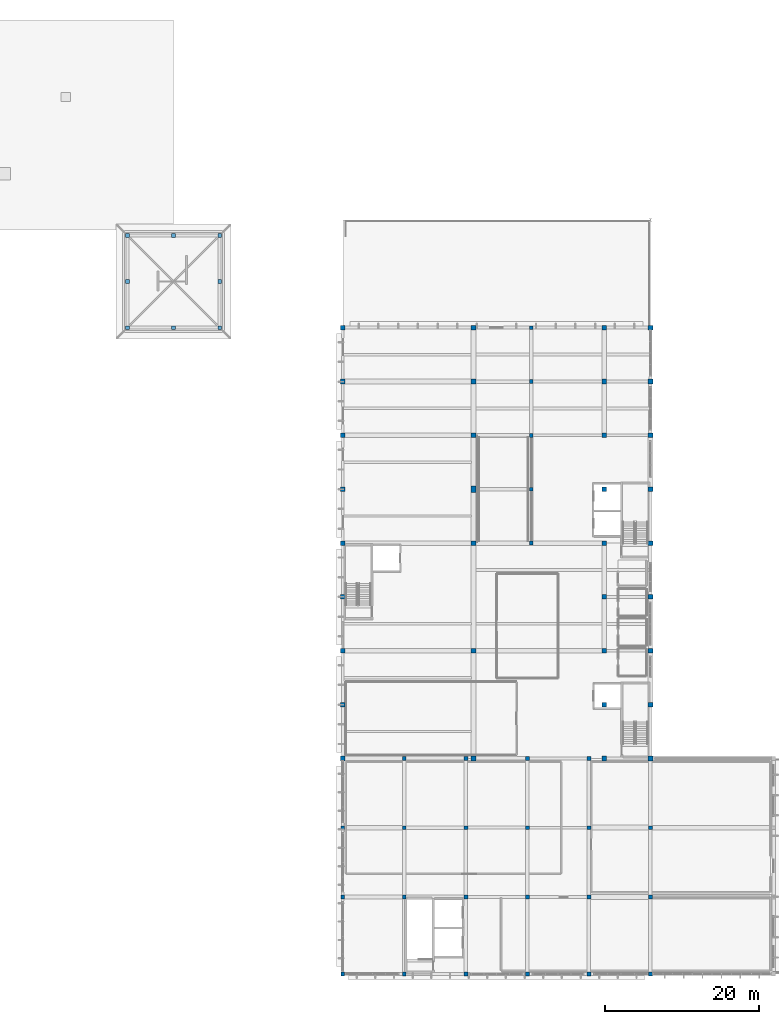
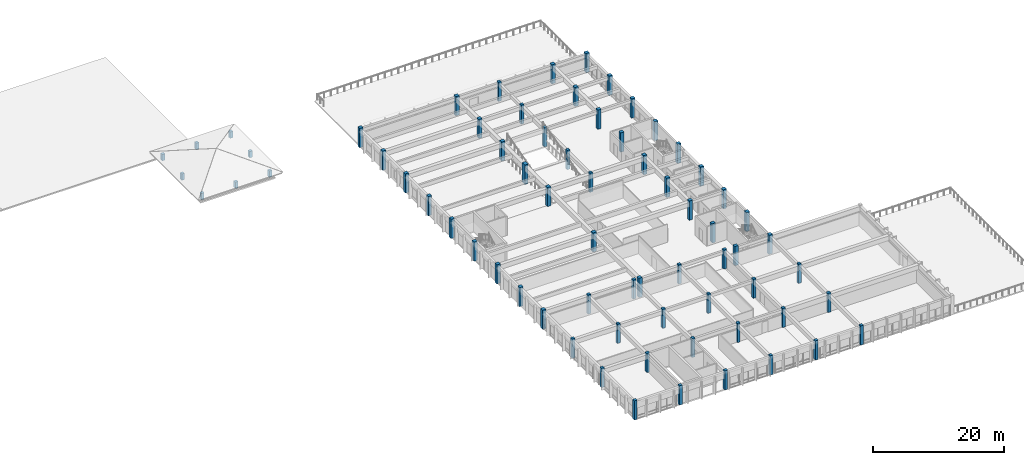
# One storey, part 1 of 33: 69 columns.
"""IFC4 building model written with IfcOpenShell, lengths in metres."""

from ifc_helpers import new_model, si_unit, direction, frame, origin, origin_2d, place, context, subcontext, project, spatial, rectangle, extrude, material, material_profile, profile_set, type_object, element, save


model = new_model("IFC4")

# Units and contexts
model_context = context("Model", 3, precision=1e-05, world=origin(), true_north=direction((0.0, 1.0)))
body_context = subcontext(model_context, "Body", "Model", "MODEL_VIEW")
ifc_project = project(units=[si_unit("LENGTHUNIT", "METRE"), si_unit("AREAUNIT", "SQUARE_METRE"), si_unit("VOLUMEUNIT", "CUBIC_METRE"), si_unit("PLANEANGLEUNIT", "RADIAN"), si_unit("MASSUNIT", "GRAM", prefix="KILO")], contexts=[model_context])

# Site, building, storey
site_placement = place(None, origin())
site = spatial("IfcSite", under=ifc_project, at=site_placement, CompositionType="ELEMENT")
building_placement = place(site_placement, origin())
building = spatial("IfcBuilding", under=site, at=building_placement, Name="Larkveld Mobility Hub", CompositionType="ELEMENT")
storey_placement = place(building_placement, frame((0.0, 0.0, 15.60009765625)))
storey = spatial("IfcBuildingStorey", under=building, at=storey_placement, Name="L04", CompositionType="ELEMENT", Elevation=15.60009765625)

# Columns
ifc_material_1 = material(Name="Precast concrete C50/60", Category="concrete")
ifc_material_profile_1 = material_profile(ifc_material_1, rectangle(XDim=0.60009765625, YDim=0.800048828125, at=origin_2d()), Name="RC COL 600x800")
ifc_profile_set_1 = profile_set([ifc_material_profile_1], Name="Precast concrete C50/60")
column_type_1 = type_object("IfcColumnType", Name="CL-PC6080", PredefinedType="COLUMN", material=ifc_profile_set_1)
column_placement = place(storey_placement, frame((129.0, 63.0, 0.0), z_axis=(0.0, 0.0, 1.0), x_axis=(1.0, 0.0, 0.0)))
element("IfcColumn", 1, at=column_placement, inside=storey, type_object=column_type_1, Name="Column EVR-X1290-Y63 (L04)", PredefinedType="COLUMN", context=body_context, shape_type="SweptSolid", body=[
    extrude(rectangle(XDim=0.60009765625, YDim=0.800048828125, at=origin_2d()), origin(), (0.0, 0.0, 1.0), 3.599853515625),
])
ifc_material_2 = material(Name="Concrete C40/50", Category="concrete")
ifc_material_profile_2 = material_profile(ifc_material_2, rectangle(XDim=0.5, YDim=0.5, at=origin_2d()), Name="RC COL 500x500")
ifc_profile_set_2 = profile_set([ifc_material_profile_2], Name="Concrete C40/50")
column_type_2 = type_object("IfcColumnType", Name="CL-RC500", PredefinedType="COLUMN", material=ifc_profile_set_2)
for number, where, z_axis, x_axis, name in (
    (2, (136.5, 70.0, 0.0), (0.0, 0.0, 1.0), (1.0, 0.0, 0.0), "Column EVRMP-X1365-Y70 (L04)"),
    (3, (136.5, 77.0, 0.0), (0.0, 0.0, 1.0), (1.0, 0.0, 0.0), "Column EVRMP-X1365-Y77 (L04)"),
    (4, (136.5, 84.0, 0.0), (0.0, 0.0, 1.0), (1.0, 0.0, 0.0), "Column EVRMP-X1365-Y84 (L04)"),
    (5, (112.0, 0.0, 0.0), (0.0, 0.0, 1.0), (1.0, 0.0, 0.0), "Column V6-X112-Y0 (L04)"),
    (6, (112.0, 10.0, 0.0), (0.0, 0.0, 1.0), (1.0, 0.0, 0.0), "Column V6-X112-Y10 (L04)"),
    (7, (112.0, 19.0, 0.0), (0.0, 0.0, 1.0), (1.0, 0.0, 0.0), "Column V6-X112-Y19 (L04)"),
    (8, (120.0, 0.0, 0.0), (0.0, 0.0, 1.0), (1.0, 0.0, 0.0), "Column V6-X120-Y0 (L04)"),
    (9, (120.0, 10.0, 0.0), (0.0, 0.0, 1.0), (1.0, 0.0, 0.0), "Column V6-X120-Y10 (L04)"),
    (10, (120.0, 19.0, 0.0), (0.0, 0.0, 1.0), (1.0, 0.0, 0.0), "Column V6-X120-Y19 (L04)"),
    (11, (120.0, 28.0, 0.0), (0.0, 0.0, 1.0), (1.0, 0.0, 0.0), "Column V6-X120-Y28 (L04)"),
    (12, (128.0, 0.0, 0.0), (0.0, 0.0, 1.0), (1.0, 0.0, 0.0), "Column V6-X128-Y0 (L04)"),
    (13, (128.0, 10.0, 0.0), (0.0, 0.0, 1.0), (1.0, 0.0, 0.0), "Column V6-X128-Y10 (L04)"),
    (14, (128.0, 19.0, 0.0), (0.0, 0.0, 1.0), (1.0, 0.0, 0.0), "Column V6-X128-Y19 (L04)"),
    (15, (128.0, 28.0, 0.0), (0.0, 0.0, 1.0), (1.0, 0.0, 0.0), "Column V6-X128-Y28 (L04)"),
    (16, (136.0, 0.0, 0.0), (0.0, 0.0, 1.0), (1.0, 0.0, 0.0), "Column V6-X136-Y0 (L04)"),
    (17, (136.0, 10.0, 0.0), (0.0, 0.0, 1.0), (1.0, 0.0, 0.0), "Column V6-X136-Y10 (L04)"),
    (18, (136.0, 19.0, 0.0), (0.0, 0.0, 1.0), (1.0, 0.0, 0.0), "Column V6-X136-Y19 (L04)"),
    (19, (136.0, 28.0, 0.0), (0.0, 0.0, 1.0), (1.0, 0.0, 0.0), "Column V6-X136-Y28 (L04)"),
    (20, (144.0, 0.0, 0.0), (0.0, 0.0, 1.0), (1.0, 0.0, 0.0), "Column V6-X144-Y0 (L04)"),
    (21, (144.0, 10.0, 0.0), (0.0, 0.0, 1.0), (1.0, 0.0, 0.0), "Column V6-X144-Y10 (L04)"),
    (22, (144.0, 19.0, 0.0), (0.0, 0.0, 1.0), (1.0, 0.0, 0.0), "Column V6-X144-Y19 (L04)"),
    (23, (144.0, 28.0, 0.0), (0.0, 0.0, 1.0), (1.0, 0.0, 0.0), "Column V6-X144-Y28 (L04)"),
    (24, (152.0, 0.0, 0.0), (0.0, 0.0, 1.0), (1.0, 0.0, 0.0), "Column V6-X152-Y0 (L04)"),
    (25, (152.0, 10.0, 0.0), (0.0, 0.0, 1.0), (1.0, 0.0, 0.0), "Column V6-X152-Y10 (L04)"),
    (26, (152.0, 19.0, 0.0), (0.0, 0.0, 1.0), (1.0, 0.0, 0.0), "Column V6-X152-Y19 (L04)"),
    (27, (136.5, 56.0, 0.0), (0.0, 0.0, 1.0), (1.0, 0.0, 0.0), "Column EVR-X1365-Y56 (L04)"),
    (28, (136.5, 63.0, 0.0), (0.0, 0.0, 1.0), (1.0, 0.0, 0.0), "Column EVR-X1365-Y63 (L04)"),
):
    element("IfcColumn", number, at=place(storey_placement, frame(where, z_axis=z_axis, x_axis=x_axis)), inside=storey, type_object=column_type_2, Name=name, PredefinedType="COLUMN", context=body_context, shape_type="SweptSolid", body=[
        extrude(rectangle(XDim=0.5, YDim=0.5, at=origin_2d()), origin(), (0.0, 0.0, 1.0), 3.599853515625),
    ])
for number, where, z_axis, x_axis, name in (
    (29, (84.0, 84.0, 0.0), (0.0, 0.0, 1.0), (1.0, 0.0, 0.0), "Column PAV-L04-X84-Y84"),
    (30, (84.0, 90.0, 0.0), (0.0, 0.0, 1.0), (1.0, 0.0, 0.0), "Column PAV-L04-X84-Y90"),
    (31, (84.0, 96.0, 0.0), (0.0, 0.0, 1.0), (1.0, 0.0, 0.0), "Column PAV-L04-X84-Y96"),
    (32, (90.0, 84.0, 0.0), (0.0, 0.0, 1.0), (1.0, 0.0, 0.0), "Column PAV-L04-X90-Y84"),
    (33, (90.0, 96.0, 0.0), (0.0, 0.0, 1.0), (1.0, 0.0, 0.0), "Column PAV-L04-X90-Y96"),
    (34, (96.0, 84.0, 0.0), (0.0, 0.0, 1.0), (1.0, 0.0, 0.0), "Column PAV-L04-X96-Y84"),
    (35, (96.0, 90.0, 0.0), (0.0, 0.0, 1.0), (1.0, 0.0, 0.0), "Column PAV-L04-X96-Y90"),
    (36, (96.0, 96.0, 0.0), (0.0, 0.0, 1.0), (1.0, 0.0, 0.0), "Column PAV-L04-X96-Y96"),
):
    element("IfcColumn", number, at=place(storey_placement, frame(where, z_axis=z_axis, x_axis=x_axis)), inside=storey, type_object=column_type_2, Name=name, PredefinedType="COLUMN", context=body_context, shape_type="SweptSolid", body=[
        extrude(rectangle(XDim=0.5, YDim=0.5, at=origin_2d()), origin(), (0.0, 0.0, 1.0), 1.199951171875),
    ])
ifc_material_profile_3 = material_profile(ifc_material_2, rectangle(XDim=0.60009765625, YDim=0.60009765625, at=origin_2d()), Name="RC COL 600x600")
ifc_profile_set_3 = profile_set([ifc_material_profile_3], Name="Concrete C40/50")
column_type_3 = type_object("IfcColumnType", Name="CL-RC600", PredefinedType="COLUMN", material=ifc_profile_set_3)
for number, where, z_axis, x_axis, name in (
    (37, (112.0, 28.0, 0.0), (0.0, 0.0, 1.0), (1.0, 0.0, 0.0), "Column EV-X112-Y28 (L04)"),
    (38, (112.0, 35.0, 0.0), (0.0, 0.0, 1.0), (1.0, 0.0, 0.0), "Column EV-X112-Y35 (L04)"),
    (39, (112.0, 42.0, 0.0), (0.0, 0.0, 1.0), (1.0, 0.0, 0.0), "Column EV-X112-Y42 (L04)"),
    (40, (112.0, 49.0, 0.0), (0.0, 0.0, 1.0), (1.0, 0.0, 0.0), "Column EV-X112-Y49 (L04)"),
    (41, (112.0, 56.0, 0.0), (0.0, 0.0, 1.0), (1.0, 0.0, 0.0), "Column EV-X112-Y56 (L04)"),
    (42, (112.0, 63.0, 0.0), (0.0, 0.0, 1.0), (1.0, 0.0, 0.0), "Column EV-X112-Y63 (L04)"),
    (43, (112.0, 70.0, 0.0), (0.0, 0.0, 1.0), (1.0, 0.0, 0.0), "Column EV-X112-Y70 (L04)"),
    (44, (112.0, 77.0, 0.0), (0.0, 0.0, 1.0), (1.0, 0.0, 0.0), "Column EV-X112-Y77 (L04)"),
    (45, (112.0, 84.0, 0.0), (0.0, 0.0, 1.0), (1.0, 0.0, 0.0), "Column EV-X112-Y84 (L04)"),
    (46, (129.0, 28.0, 0.0), (0.0, 0.0, 1.0), (1.0, 0.0, 0.0), "Column EV-X129-Y28 (L04)"),
    (47, (129.0, 42.0, 0.0), (0.0, 0.0, 1.0), (1.0, 0.0, 0.0), "Column EV-X129-Y42 (L04)"),
    (48, (129.0, 56.0, 0.0), (0.0, 0.0, 1.0), (1.0, 0.0, 0.0), "Column EV-X129-Y56 (L04)"),
    (49, (129.0, 70.0, 0.0), (0.0, 0.0, 1.0), (1.0, 0.0, 0.0), "Column EV-X129-Y70 (L04)"),
    (50, (129.0, 77.0, 0.0), (0.0, 0.0, 1.0), (1.0, 0.0, 0.0), "Column EV-X129-Y77 (L04)"),
    (51, (129.0, 84.0, 0.0), (0.0, 0.0, 1.0), (1.0, 0.0, 0.0), "Column EV-X129-Y84 (L04)"),
    (52, (146.0, 28.0, 0.0), (0.0, 0.0, 1.0), (1.0, 0.0, 0.0), "Column EV-X146-Y28 (L04)"),
    (53, (146.0, 35.0, 0.0), (0.0, 0.0, 1.0), (1.0, 0.0, 0.0), "Column EV-X146-Y35 (L04)"),
    (54, (146.0, 42.0, 0.0), (0.0, 0.0, 1.0), (1.0, 0.0, 0.0), "Column EV-X146-Y42 (L04)"),
    (55, (146.0, 49.0, 0.0), (0.0, 0.0, 1.0), (1.0, 0.0, 0.0), "Column EV-X146-Y49 (L04)"),
    (56, (146.0, 56.0, 0.0), (0.0, 0.0, 1.0), (1.0, 0.0, 0.0), "Column EV-X146-Y56 (L04)"),
    (57, (146.0, 63.0, 0.0), (0.0, 0.0, 1.0), (1.0, 0.0, 0.0), "Column EV-X146-Y63 (L04)"),
    (58, (146.0, 70.0, 0.0), (0.0, 0.0, 1.0), (1.0, 0.0, 0.0), "Column EV-X146-Y70 (L04)"),
    (59, (146.0, 77.0, 0.0), (0.0, 0.0, 1.0), (1.0, 0.0, 0.0), "Column EV-X146-Y77 (L04)"),
    (60, (146.0, 84.0, 0.0), (0.0, 0.0, 1.0), (1.0, 0.0, 0.0), "Column EV-X146-Y84 (L04)"),
    (61, (152.0, 28.0, 0.0), (0.0, 0.0, 1.0), (1.0, 0.0, 0.0), "Column EV-X152-Y28 (L04)"),
    (62, (152.0, 35.0, 0.0), (0.0, 0.0, 1.0), (1.0, 0.0, 0.0), "Column EV-X152-Y35 (L04)"),
    (63, (152.0, 42.0, 0.0), (0.0, 0.0, 1.0), (1.0, 0.0, 0.0), "Column EV-X152-Y42 (L04)"),
    (64, (152.0, 49.0, 0.0), (0.0, 0.0, 1.0), (1.0, 0.0, 0.0), "Column EV-X152-Y49 (L04)"),
    (65, (152.0, 56.0, 0.0), (0.0, 0.0, 1.0), (1.0, 0.0, 0.0), "Column EV-X152-Y56 (L04)"),
    (66, (152.0, 63.0, 0.0), (0.0, 0.0, 1.0), (1.0, 0.0, 0.0), "Column EV-X152-Y63 (L04)"),
    (67, (152.0, 70.0, 0.0), (0.0, 0.0, 1.0), (1.0, 0.0, 0.0), "Column EV-X152-Y70 (L04)"),
    (68, (152.0, 77.0, 0.0), (0.0, 0.0, 1.0), (1.0, 0.0, 0.0), "Column EV-X152-Y77 (L04)"),
    (69, (152.0, 84.0, 0.0), (0.0, 0.0, 1.0), (1.0, 0.0, 0.0), "Column EV-X152-Y84 (L04)"),
):
    element("IfcColumn", number, at=place(storey_placement, frame(where, z_axis=z_axis, x_axis=x_axis)), inside=storey, type_object=column_type_3, Name=name, PredefinedType="COLUMN", context=body_context, shape_type="SweptSolid", body=[
        extrude(rectangle(XDim=0.60009765625, YDim=0.60009765625, at=origin_2d()), origin(), (0.0, 0.0, 1.0), 3.599853515625),
    ])

save(model, "model.ifc")
